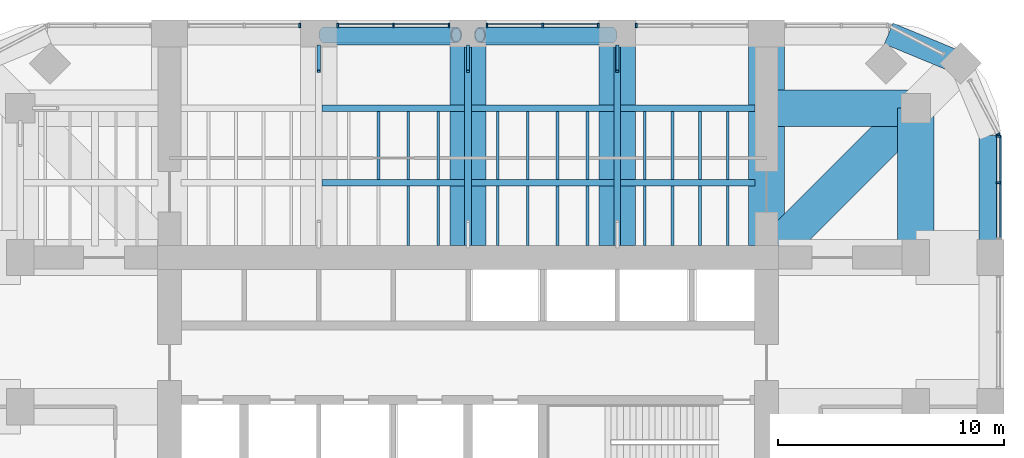
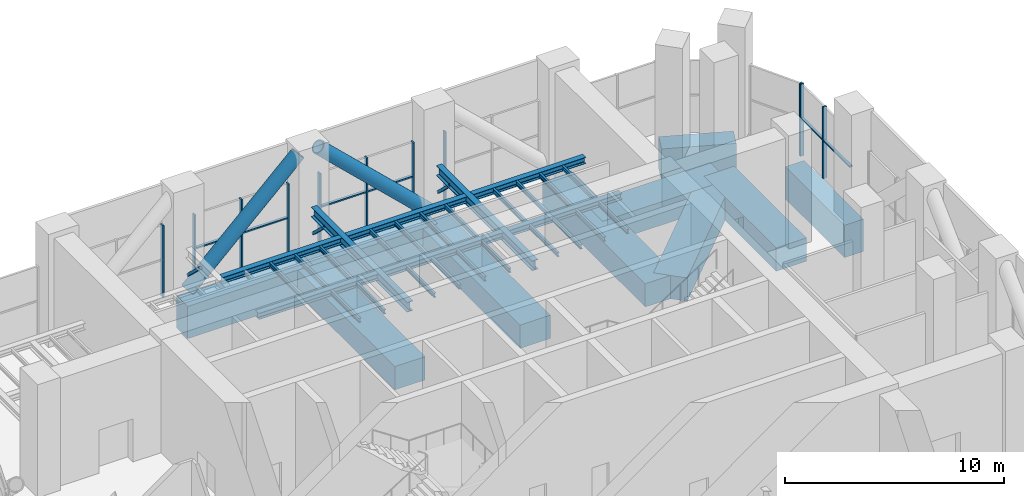
# One storey, part 7 of 15: 39 beams, 22 members, 6 elements without a shape of their own.
"""IFC4 building model written with IfcOpenShell, lengths in metres."""

from ifc_helpers import new_model, si_unit, direction, frame, origin, origin_2d, place, context, subcontext, project, spatial, rectangle, hollow_rectangle, hollow_circle, i_section, extrude, material, material_profile, profile_set, type_object, element, aggregate, save


model = new_model("IFC4")

# Units and contexts
model_context = context("Model", 3, precision=1e-05, world=origin(), true_north=direction((0.0, 1.0)))
body_context = subcontext(model_context, "Body", "Model", "MODEL_VIEW")
ifc_project = project(units=[si_unit("LENGTHUNIT", "METRE"), si_unit("AREAUNIT", "SQUARE_METRE"), si_unit("VOLUMEUNIT", "CUBIC_METRE"), si_unit("PLANEANGLEUNIT", "RADIAN"), si_unit("MASSUNIT", "GRAM", prefix="KILO")], contexts=[model_context])

# Site, building, storey
site_placement = place(None, origin())
site = spatial("IfcSite", under=ifc_project, at=site_placement, CompositionType="ELEMENT")
building_placement = place(site_placement, origin())
building = spatial("IfcBuilding", under=site, at=building_placement, Name="Cobogo Forest Laboratory Tower", CompositionType="ELEMENT")
storey_placement = place(building_placement, frame((0.0, 0.0, 222.89990234375)))
storey = spatial("IfcBuildingStorey", under=building, at=storey_placement, Name="L51", CompositionType="ELEMENT", Elevation=222.89990234375)

# Members
ifc_material_1 = material(Name="Steel S460NH", Category="steel")
ifc_material_profile_1 = material_profile(ifc_material_1, hollow_circle(Radius=0.35546875, WallThickness=0.06005859375, at=origin_2d()), Name="CHS 711x60")
ifc_profile_set_1 = profile_set([ifc_material_profile_1], Name="Steel S460NH")
member_type_1 = type_object("IfcMemberType", Name="Belt truss diagonal CHS 711x60", PredefinedType="BRACE", material=ifc_profile_set_1)
for number, where, z_axis, x_axis, name in (
    (1, (20.050048828125, 42.840087890625, 0.23876953125), (0.723349354665, 0.0, 0.69048223084), (0.0, 1.0, 0.0), "BT1 belt truss diagonal N10 L51"),
    (2, (32.75, 42.840087890625, 0.23876953125), (-0.723363796511, 0.0, 0.690467101242), (0.0, -1.0, 0.0), "BT1 belt truss diagonal N11 L51"),
):
    element("IfcMember", number, at=place(storey_placement, frame(where, z_axis=z_axis, x_axis=x_axis)), inside=storey, type_object=member_type_1, Name=name, PredefinedType="BRACE", context=body_context, shape_type="SweptSolid", body=[
        extrude(hollow_circle(Radius=0.35546875, WallThickness=0.06005859375, at=origin_2d()), origin(), (0.0, 0.0, 1.0), 8.0595703125),
    ])

# Curtain wall, members
ifc_material_2 = material(Name="Aluminium curtain wall", Category="aluminium")
curtain_wall_type = type_object("IfcCurtainWallType", Name="CW-P louvred curtain wall, plant floors", PredefinedType="USERDEFINED", material=ifc_material_2)
curtain_wall_1_placement = place(storey_placement, origin())
curtain_wall_1 = element("IfcCurtainWall", 3, at=curtain_wall_1_placement, inside=storey, type_object=curtain_wall_type, Name="Curtain wall 13 L51", ObjectType="LOUVRED CURTAIN WALL", PredefinedType="USERDEFINED")
ifc_material_3 = material(Name="Aluminium mullion", Category="aluminium")
ifc_material_profile_2 = material_profile(ifc_material_3, rectangle(XDim=0.080078125, YDim=0.199951171875, at=origin_2d()), Name="AL 80x200")
ifc_profile_set_2 = profile_set([ifc_material_profile_2], Name="Aluminium mullion")
member_type_2 = type_object("IfcMemberType", Name="MU-3 aluminium louvre mullion 80x200", PredefinedType="MULLION", material=ifc_profile_set_2)
member_1_placement = place(storey_placement, frame((49.85009765625, 36.300048828125, 0.0), z_axis=(0.0, 0.0, 1.0), x_axis=(0.0, 1.0, 0.0)))
member_1 = element("IfcMember", 4, at=member_1_placement, type_object=member_type_2, Name="CW-P mullion 2", PredefinedType="MULLION", context=body_context, shape_type="SweptSolid", body=[
    extrude(rectangle(XDim=0.080078125, YDim=0.199951171875, at=origin_2d()), origin(), (0.0, 0.0, 1.0), 4.0),
])
member_2_placement = place(storey_placement, frame((49.85009765625, 38.360107421875, 0.0), z_axis=(0.0, 0.0, 1.0), x_axis=(0.0, 1.0, 0.0)))
member_2 = element("IfcMember", 5, at=member_2_placement, type_object=member_type_2, Name="CW-P mullion 3", PredefinedType="MULLION", context=body_context, shape_type="SweptSolid", body=[
    extrude(rectangle(XDim=0.080078125, YDim=0.199951171875, at=origin_2d()), origin(), (0.0, 0.0, 1.0), 4.0),
])

# Curtain wall, member
curtain_wall_2_placement = place(storey_placement, origin())
curtain_wall_2 = element("IfcCurtainWall", 6, at=curtain_wall_2_placement, inside=storey, type_object=curtain_wall_type, Name="Curtain wall 14 L51", ObjectType="LOUVRED CURTAIN WALL", PredefinedType="USERDEFINED")
member_3_placement = place(storey_placement, frame((49.83154296875, 38.435546875, 0.0), z_axis=(0.0, 0.0, 1.0), x_axis=(-0.464283685186, 0.885686547075, 0.0)))
member_3 = element("IfcMember", 7, at=member_3_placement, type_object=member_type_2, Name="CW-P mullion 1", PredefinedType="MULLION", context=body_context, shape_type="SweptSolid", body=[
    extrude(rectangle(XDim=0.080078125, YDim=0.199951171875, at=origin_2d()), origin(), (0.0, 0.0, 1.0), 4.0),
])
aggregate(curtain_wall_2, [member_3])

curtain_wall_3_placement = place(storey_placement, origin())
curtain_wall_3 = element("IfcCurtainWall", 8, at=curtain_wall_3_placement, inside=storey, type_object=curtain_wall_type, Name="Curtain wall 17 L51", ObjectType="LOUVRED CURTAIN WALL", PredefinedType="USERDEFINED")
member_4_placement = place(storey_placement, frame((33.840087890625, 43.25, 0.0), z_axis=(0.0, 0.0, 1.0), x_axis=(-1.0, 0.0, 0.0)))
member_4 = element("IfcMember", 9, at=member_4_placement, type_object=member_type_2, Name="CW-P mullion 3", PredefinedType="MULLION", context=body_context, shape_type="SweptSolid", body=[
    extrude(rectangle(XDim=0.080078125, YDim=0.199951171875, at=origin_2d()), origin(), (0.0, 0.0, 1.0), 4.0),
])
aggregate(curtain_wall_3, [member_4])

# Curtain wall, members
curtain_wall_4_placement = place(storey_placement, origin())
curtain_wall_4 = element("IfcCurtainWall", 10, at=curtain_wall_4_placement, inside=storey, type_object=curtain_wall_type, Name="Curtain wall 18 L51", ObjectType="LOUVRED CURTAIN WALL", PredefinedType="USERDEFINED")
member_5_placement = place(storey_placement, frame((32.159912109375, 43.25, 0.0), z_axis=(0.0, 0.0, 1.0), x_axis=(-1.0, 0.0, 0.0)))
member_5 = element("IfcMember", 11, at=member_5_placement, type_object=member_type_2, Name="CW-P mullion 1", PredefinedType="MULLION", context=body_context, shape_type="SweptSolid", body=[
    extrude(rectangle(XDim=0.080078125, YDim=0.199951171875, at=origin_2d()), origin(), (0.0, 0.0, 1.0), 4.0),
])
member_6_placement = place(storey_placement, frame((29.699951171875, 43.25, 0.0), z_axis=(0.0, 0.0, 1.0), x_axis=(-1.0, 0.0, 0.0)))
member_6 = element("IfcMember", 12, at=member_6_placement, type_object=member_type_2, Name="CW-P mullion 2", PredefinedType="MULLION", context=body_context, shape_type="SweptSolid", body=[
    extrude(rectangle(XDim=0.080078125, YDim=0.199951171875, at=origin_2d()), origin(), (0.0, 0.0, 1.0), 4.0),
])
member_7_placement = place(storey_placement, frame((27.239990234375, 43.25, 0.0), z_axis=(0.0, 0.0, 1.0), x_axis=(-1.0, 0.0, 0.0)))
member_7 = element("IfcMember", 13, at=member_7_placement, type_object=member_type_2, Name="CW-P mullion 3", PredefinedType="MULLION", context=body_context, shape_type="SweptSolid", body=[
    extrude(rectangle(XDim=0.080078125, YDim=0.199951171875, at=origin_2d()), origin(), (0.0, 0.0, 1.0), 4.0),
])

curtain_wall_5_placement = place(storey_placement, origin())
curtain_wall_5 = element("IfcCurtainWall", 14, at=curtain_wall_5_placement, inside=storey, type_object=curtain_wall_type, Name="Curtain wall 19 L51", ObjectType="LOUVRED CURTAIN WALL", PredefinedType="USERDEFINED")
member_8_placement = place(storey_placement, frame((25.56005859375, 43.25, 0.0), z_axis=(0.0, 0.0, 1.0), x_axis=(-1.0, 0.0, 0.0)))
member_8 = element("IfcMember", 15, at=member_8_placement, type_object=member_type_2, Name="CW-P mullion 1", PredefinedType="MULLION", context=body_context, shape_type="SweptSolid", body=[
    extrude(rectangle(XDim=0.080078125, YDim=0.199951171875, at=origin_2d()), origin(), (0.0, 0.0, 1.0), 4.0),
])
member_9_placement = place(storey_placement, frame((23.10009765625, 43.25, 0.0), z_axis=(0.0, 0.0, 1.0), x_axis=(-1.0, 0.0, 0.0)))
member_9 = element("IfcMember", 16, at=member_9_placement, type_object=member_type_2, Name="CW-P mullion 2", PredefinedType="MULLION", context=body_context, shape_type="SweptSolid", body=[
    extrude(rectangle(XDim=0.080078125, YDim=0.199951171875, at=origin_2d()), origin(), (0.0, 0.0, 1.0), 4.0),
])
member_10_placement = place(storey_placement, frame((20.639892578125, 43.25, 0.0), z_axis=(0.0, 0.0, 1.0), x_axis=(-1.0, 0.0, 0.0)))
member_10 = element("IfcMember", 17, at=member_10_placement, type_object=member_type_2, Name="CW-P mullion 3", PredefinedType="MULLION", context=body_context, shape_type="SweptSolid", body=[
    extrude(rectangle(XDim=0.080078125, YDim=0.199951171875, at=origin_2d()), origin(), (0.0, 0.0, 1.0), 4.0),
])

# Curtain wall, member
curtain_wall_6_placement = place(storey_placement, origin())
curtain_wall_6 = element("IfcCurtainWall", 18, at=curtain_wall_6_placement, inside=storey, type_object=curtain_wall_type, Name="Curtain wall 20 L51", ObjectType="LOUVRED CURTAIN WALL", PredefinedType="USERDEFINED")
member_11_placement = place(storey_placement, frame((18.9599609375, 43.25, 0.0), z_axis=(0.0, 0.0, 1.0), x_axis=(-1.0, 0.0, 0.0)))
member_11 = element("IfcMember", 19, at=member_11_placement, type_object=member_type_2, Name="CW-P mullion 1", PredefinedType="MULLION", context=body_context, shape_type="SweptSolid", body=[
    extrude(rectangle(XDim=0.080078125, YDim=0.199951171875, at=origin_2d()), origin(), (0.0, 0.0, 1.0), 4.0),
])
aggregate(curtain_wall_6, [member_11])

# Beams
ifc_material_4 = material(Name="Concrete HA-40 (C40/50)", Category="concrete")
ifc_material_profile_3 = material_profile(ifc_material_4, rectangle(XDim=1.60009765625, YDim=1.300048828125, at=origin_2d()), Name="RC 1600x1300")
ifc_profile_set_3 = profile_set([ifc_material_profile_3], Name="Concrete HA-40 (C40/50)")
beam_type_1 = type_object("IfcBeamType", Name="Plant and roof garden wide beam 1600x1300", PredefinedType="BEAM", material=ifc_profile_set_3)
for number, where, z_axis, x_axis, name in (
    (20, (26.39990234375, 33.52490234375, -1.0), (0.0, 1.0, 0.0), (-1.0, 0.0, 0.0), "RB4 R-5-N L51"),
    (21, (33.0, 33.52490234375, -1.0), (0.0, 1.0, 0.0), (-1.0, 0.0, 0.0), "RB4 R-6-N L51"),
    (22, (39.60009765625, 33.52490234375, -1.0), (0.0, 1.0, 0.0), (-1.0, 0.0, 0.0), "RB4 R-7-N L51"),
):
    element("IfcBeam", number, at=place(storey_placement, frame(where, z_axis=z_axis, x_axis=x_axis)), inside=storey, type_object=beam_type_1, Name=name, PredefinedType="BEAM", context=body_context, shape_type="SweptSolid", body=[
        extrude(rectangle(XDim=1.60009765625, YDim=1.300048828125, at=origin_2d()), origin(), (0.0, 0.0, 1.0), 9.375),
    ])
beam_1_placement = place(storey_placement, frame((46.199951171875, 39.60009765625, -1.0), z_axis=(0.0, -1.0, 0.0), x_axis=(1.0, 0.0, 0.0)))
element("IfcBeam", 23, at=beam_1_placement, inside=storey, type_object=beam_type_1, Name="RB4 G-NE-XC L51", PredefinedType="BEAM", context=body_context, shape_type="SweptSolid", body=[
    extrude(rectangle(XDim=1.60009765625, YDim=1.300048828125, at=origin_2d()), origin(), (0.0, 0.0, 1.0), 6.60009765625),
])
beam_2_placement = place(storey_placement, frame((46.199951171875, 39.60009765625, -1.0), z_axis=(-1.0, 0.0, 0.0), x_axis=(0.0, -1.0, 0.0)))
element("IfcBeam", 24, at=beam_2_placement, inside=storey, type_object=beam_type_1, Name="RB4 G-NE-YC L51", PredefinedType="BEAM", context=body_context, shape_type="SweptSolid", body=[
    extrude(rectangle(XDim=1.60009765625, YDim=1.300048828125, at=origin_2d()), origin(), (0.0, 0.0, 1.0), 6.599853515625),
])
beam_3_placement = place(storey_placement, frame((46.199951171875, 39.60009765625, -1.0), z_axis=(-0.707092572697, -0.70712098939, 0.0), x_axis=(0.70712098939, -0.707092572697, 0.0)))
element("IfcBeam", 25, at=beam_3_placement, inside=storey, type_object=beam_type_1, Name="RB4 G-NE-D2 L51", PredefinedType="BEAM", context=body_context, shape_type="SweptSolid", body=[
    extrude(rectangle(XDim=1.60009765625, YDim=1.300048828125, at=origin_2d()), origin(), (0.0, 0.0, 1.0), 8.591552734375),
])
ifc_material_profile_4 = material_profile(ifc_material_4, rectangle(XDim=1.0, YDim=1.800048828125, at=origin_2d()), Name="RC 1000x1800")
ifc_profile_set_4 = profile_set([ifc_material_profile_4], Name="Concrete HA-40 (C40/50)")
beam_type_2 = type_object("IfcBeamType", Name="Plant floor perimeter girder 1000x1800", PredefinedType="BEAM", material=ifc_profile_set_4)
beam_4_placement = place(storey_placement, frame((19.800048828125, 42.89990234375, -1.25), z_axis=(1.0, 0.0, 0.0), x_axis=(0.0, 1.0, 0.0)))
element("IfcBeam", 26, at=beam_4_placement, inside=storey, type_object=beam_type_2, Name="TG1 E-N2 L51", PredefinedType="BEAM", context=body_context, shape_type="SweptSolid", body=[
    extrude(rectangle(XDim=1.0, YDim=1.800048828125, at=origin_2d()), origin(), (0.0, 0.0, 1.0), 6.599853515625),
])
beam_5_placement = place(storey_placement, frame((26.39990234375, 42.89990234375, -1.25), z_axis=(1.0, 0.0, 0.0), x_axis=(0.0, 1.0, 0.0)))
element("IfcBeam", 27, at=beam_5_placement, inside=storey, type_object=beam_type_2, Name="TG1 E-N3 L51", PredefinedType="BEAM", context=body_context, shape_type="SweptSolid", body=[
    extrude(rectangle(XDim=1.0, YDim=1.800048828125, at=origin_2d()), origin(), (0.0, 0.0, 1.0), 6.60009765625),
])
beam_6_placement = place(storey_placement, frame((49.5, 33.0, -1.25), z_axis=(0.0, 1.0, 0.0), x_axis=(-1.0, 0.0, 0.0)))
element("IfcBeam", 28, at=beam_6_placement, inside=storey, type_object=beam_type_2, Name="TG1 E-NEE1 L51", PredefinedType="BEAM", context=body_context, shape_type="SweptSolid", body=[
    extrude(rectangle(XDim=1.0, YDim=1.800048828125, at=origin_2d()), origin(), (0.0, 0.0, 1.0), 5.39990234375),
])
beam_7_placement = place(storey_placement, frame((45.0, 42.89990234375, -1.25), z_axis=(0.923890694089, -0.382656484822, 0.0), x_axis=(0.382656484822, 0.923890694089, 0.0)))
element("IfcBeam", 29, at=beam_7_placement, inside=storey, type_object=beam_type_2, Name="TG1 E-NEN2 L51", PredefinedType="BEAM", context=body_context, shape_type="SweptSolid", body=[
    extrude(rectangle(XDim=1.0, YDim=1.800048828125, at=origin_2d()), origin(), (0.0, 0.0, 1.0), 3.444091796875),
])

# Members
ifc_material_5 = material(Name="Steel S355", Category="steel")
ifc_material_profile_5 = material_profile(ifc_material_5, hollow_rectangle(XDim=0.14990234375, YDim=0.14990234375, WallThickness=0.008056640625, InnerFilletRadius=0.008056640625, OuterFilletRadius=0.011962890625, at=origin_2d()), Name="SHS 150x8")
ifc_profile_set_5 = profile_set([ifc_material_profile_5], Name="Steel S355")
member_type_3 = type_object("IfcMemberType", Name="Plant knee brace SHS 150x8", PredefinedType="BRACE", material=ifc_profile_set_5)
for number, where, z_axis, x_axis, name in (
    (30, (19.800048828125, 42.35302734375, 1.4501953125), (0.0, -0.725097922522, 0.688645774513), (1.0, 0.0, 0.0), "PX2 AHU-N knee brace 4-1 L51"),
    (31, (26.39990234375, 42.35302734375, 1.4501953125), (0.0, -0.725097922522, 0.688645774513), (1.0, 0.0, 0.0), "PX2 AHU-N knee brace 5-1 L51"),
    (32, (33.0, 42.35302734375, 1.4501953125), (0.0, -0.725097922522, 0.688645774513), (1.0, 0.0, 0.0), "PX2 AHU-N knee brace 6-1 L51"),
):
    element("IfcMember", number, at=place(storey_placement, frame(where, z_axis=z_axis, x_axis=x_axis)), inside=storey, type_object=member_type_3, Name=name, PredefinedType="BRACE", context=body_context, shape_type="SweptSolid", body=[
        extrude(hollow_rectangle(XDim=0.14990234375, YDim=0.14990234375, WallThickness=0.008056640625, InnerFilletRadius=0.008056640625, OuterFilletRadius=0.011962890625, at=origin_2d()), origin(), (0.0, 0.0, 1.0), 1.547119140625),
    ])

# Beams
ifc_material_profile_6 = material_profile(ifc_material_5, i_section(OverallWidth=0.300048828125, OverallDepth=0.35009765625, WebThickness=0.010009765625, FlangeThickness=0.017578125, FilletRadius=0.027099609375, at=origin_2d()), Name="HEA 360")
ifc_profile_set_6 = profile_set([ifc_material_profile_6], Name="Steel S355")
beam_type_3 = type_object("IfcBeamType", Name="Plant platform beam HEA 360", PredefinedType="BEAM", material=ifc_profile_set_6)
for number, where, z_axis, x_axis, name in (
    (33, (19.949951171875, 39.60009765625, 2.8251953125), (1.0, 0.0, 0.0), (0.0, 1.0, 0.0), "PB3 AHU-N platform beam 2 at 3300 L51"),
    (34, (26.550048828125, 39.60009765625, 2.8251953125), (1.0, 0.0, 0.0), (0.0, 1.0, 0.0), "PB3 AHU-N platform beam 3 at 3300 L51"),
):
    element("IfcBeam", number, at=place(storey_placement, frame(where, z_axis=z_axis, x_axis=x_axis)), inside=storey, type_object=beam_type_3, Name=name, PredefinedType="BEAM", context=body_context, shape_type="SweptSolid", body=[
        extrude(i_section(OverallWidth=0.300048828125, OverallDepth=0.35009765625, WebThickness=0.010009765625, FlangeThickness=0.017578125, FilletRadius=0.027099609375, at=origin_2d()), origin(), (0.0, 0.0, 1.0), 6.300048828125),
    ])
beam_8_placement = place(storey_placement, frame((33.14990234375, 39.60009765625, 2.8251953125), z_axis=(1.0, 0.0, 0.0), x_axis=(0.0, 1.0, 0.0)))
element("IfcBeam", 35, at=beam_8_placement, inside=storey, type_object=beam_type_3, Name="PB3 AHU-N platform beam 4 at 3300 L51", PredefinedType="BEAM", context=body_context, shape_type="SweptSolid", body=[
    extrude(i_section(OverallWidth=0.300048828125, OverallDepth=0.35009765625, WebThickness=0.010009765625, FlangeThickness=0.017578125, FilletRadius=0.027099609375, at=origin_2d()), origin(), (0.0, 0.0, 1.0), 5.9501953125),
])
for number, where, z_axis, x_axis, name in (
    (36, (19.949951171875, 36.300048828125, 2.8251953125), (1.0, 0.0, 0.0), (0.0, 1.0, 0.0), "PB3 AHU-N platform beam 2 at 6600 L51"),
    (37, (26.550048828125, 36.300048828125, 2.8251953125), (1.0, 0.0, 0.0), (0.0, 1.0, 0.0), "PB3 AHU-N platform beam 3 at 6600 L51"),
):
    element("IfcBeam", number, at=place(storey_placement, frame(where, z_axis=z_axis, x_axis=x_axis)), inside=storey, type_object=beam_type_3, Name=name, PredefinedType="BEAM", context=body_context, shape_type="SweptSolid", body=[
        extrude(i_section(OverallWidth=0.300048828125, OverallDepth=0.35009765625, WebThickness=0.010009765625, FlangeThickness=0.017578125, FilletRadius=0.027099609375, at=origin_2d()), origin(), (0.0, 0.0, 1.0), 6.300048828125),
    ])
beam_9_placement = place(storey_placement, frame((33.14990234375, 36.300048828125, 2.8251953125), z_axis=(1.0, 0.0, 0.0), x_axis=(0.0, 1.0, 0.0)))
element("IfcBeam", 38, at=beam_9_placement, inside=storey, type_object=beam_type_3, Name="PB3 AHU-N platform beam 4 at 6600 L51", PredefinedType="BEAM", context=body_context, shape_type="SweptSolid", body=[
    extrude(i_section(OverallWidth=0.300048828125, OverallDepth=0.35009765625, WebThickness=0.010009765625, FlangeThickness=0.017578125, FilletRadius=0.027099609375, at=origin_2d()), origin(), (0.0, 0.0, 1.0), 5.9501953125),
])
ifc_material_profile_7 = material_profile(ifc_material_5, i_section(OverallWidth=0.300048828125, OverallDepth=0.550048828125, WebThickness=0.014892578125, FlangeThickness=0.029052734375, FilletRadius=0.027099609375, at=origin_2d()), Name="HEB 550")
ifc_profile_set_7 = profile_set([ifc_material_profile_7], Name="Steel S355")
beam_type_4 = type_object("IfcBeamType", Name="Plant platform girder HEB 550", PredefinedType="BEAM", material=ifc_profile_set_7)
for number, where, z_axis, x_axis, name in (
    (39, (26.39990234375, 42.300048828125, 2.72509765625), (0.0, -1.0, 0.0), (1.0, 0.0, 0.0), "PG2 AHU-N girder 5 L51"),
    (40, (33.0, 42.300048828125, 2.72509765625), (0.0, -1.0, 0.0), (1.0, 0.0, 0.0), "PG2 AHU-N girder 6 L51"),
):
    element("IfcBeam", number, at=place(storey_placement, frame(where, z_axis=z_axis, x_axis=x_axis)), inside=storey, type_object=beam_type_4, Name=name, PredefinedType="BEAM", context=body_context, shape_type="SweptSolid", body=[
        extrude(i_section(OverallWidth=0.300048828125, OverallDepth=0.550048828125, WebThickness=0.014892578125, FlangeThickness=0.029052734375, FilletRadius=0.027099609375, at=origin_2d()), origin(), (0.0, 0.0, 1.0), 8.775146484375),
    ])
ifc_material_profile_8 = material_profile(ifc_material_5, i_section(OverallWidth=0.1201171875, OverallDepth=0.239990234375, WebThickness=0.006103515625, FlangeThickness=0.009765625, FilletRadius=0.014892578125, at=origin_2d()), Name="IPE 240")
ifc_profile_set_8 = profile_set([ifc_material_profile_8], Name="Steel S355")
beam_type_5 = type_object("IfcBeamType", Name="Plant platform joist IPE 240", PredefinedType="JOIST", material=ifc_profile_set_8)
for number, where, z_axis, x_axis, name in (
    (41, (22.43994140625, 39.449951171875, 2.880126953125), (0.0, -1.0, 0.0), (1.0, 0.0, 0.0), "PJ1 AHU-N joist 2.2 row 1 L51"),
    (42, (23.760009765625, 39.449951171875, 2.880126953125), (0.0, -1.0, 0.0), (1.0, 0.0, 0.0), "PJ1 AHU-N joist 2.3 row 1 L51"),
):
    element("IfcBeam", number, at=place(storey_placement, frame(where, z_axis=z_axis, x_axis=x_axis)), inside=storey, type_object=beam_type_5, Name=name, PredefinedType="JOIST", context=body_context, shape_type="SweptSolid", body=[
        extrude(i_section(OverallWidth=0.1201171875, OverallDepth=0.239990234375, WebThickness=0.006103515625, FlangeThickness=0.009765625, FilletRadius=0.014892578125, at=origin_2d()), origin(), (0.0, 0.0, 1.0), 3.0),
    ])
beam_10_placement = place(storey_placement, frame((23.760009765625, 36.14990234375, 2.880126953125), z_axis=(0.0, -1.0, 0.0), x_axis=(1.0, 0.0, 0.0)))
element("IfcBeam", 43, at=beam_10_placement, inside=storey, type_object=beam_type_5, Name="PJ1 AHU-N joist 2.3 row 2 L51", PredefinedType="JOIST", context=body_context, shape_type="SweptSolid", body=[
    extrude(i_section(OverallWidth=0.1201171875, OverallDepth=0.239990234375, WebThickness=0.006103515625, FlangeThickness=0.009765625, FilletRadius=0.014892578125, at=origin_2d()), origin(), (0.0, 0.0, 1.0), 2.625),
])
beam_11_placement = place(storey_placement, frame((25.080078125, 39.449951171875, 2.880126953125), z_axis=(0.0, -1.0, 0.0), x_axis=(1.0, 0.0, 0.0)))
element("IfcBeam", 44, at=beam_11_placement, inside=storey, type_object=beam_type_5, Name="PJ1 AHU-N joist 2.4 row 1 L51", PredefinedType="JOIST", context=body_context, shape_type="SweptSolid", body=[
    extrude(i_section(OverallWidth=0.1201171875, OverallDepth=0.239990234375, WebThickness=0.006103515625, FlangeThickness=0.009765625, FilletRadius=0.014892578125, at=origin_2d()), origin(), (0.0, 0.0, 1.0), 3.0),
])
beam_12_placement = place(storey_placement, frame((25.080078125, 36.14990234375, 2.880126953125), z_axis=(0.0, -1.0, 0.0), x_axis=(1.0, 0.0, 0.0)))
element("IfcBeam", 45, at=beam_12_placement, inside=storey, type_object=beam_type_5, Name="PJ1 AHU-N joist 2.4 row 2 L51", PredefinedType="JOIST", context=body_context, shape_type="SweptSolid", body=[
    extrude(i_section(OverallWidth=0.1201171875, OverallDepth=0.239990234375, WebThickness=0.006103515625, FlangeThickness=0.009765625, FilletRadius=0.014892578125, at=origin_2d()), origin(), (0.0, 0.0, 1.0), 2.625),
])
beam_13_placement = place(storey_placement, frame((27.719970703125, 39.449951171875, 2.880126953125), z_axis=(0.0, -1.0, 0.0), x_axis=(1.0, 0.0, 0.0)))
element("IfcBeam", 46, at=beam_13_placement, inside=storey, type_object=beam_type_5, Name="PJ1 AHU-N joist 3.1 row 1 L51", PredefinedType="JOIST", context=body_context, shape_type="SweptSolid", body=[
    extrude(i_section(OverallWidth=0.1201171875, OverallDepth=0.239990234375, WebThickness=0.006103515625, FlangeThickness=0.009765625, FilletRadius=0.014892578125, at=origin_2d()), origin(), (0.0, 0.0, 1.0), 3.0),
])
beam_14_placement = place(storey_placement, frame((27.719970703125, 36.14990234375, 2.880126953125), z_axis=(0.0, -1.0, 0.0), x_axis=(1.0, 0.0, 0.0)))
element("IfcBeam", 47, at=beam_14_placement, inside=storey, type_object=beam_type_5, Name="PJ1 AHU-N joist 3.1 row 2 L51", PredefinedType="JOIST", context=body_context, shape_type="SweptSolid", body=[
    extrude(i_section(OverallWidth=0.1201171875, OverallDepth=0.239990234375, WebThickness=0.006103515625, FlangeThickness=0.009765625, FilletRadius=0.014892578125, at=origin_2d()), origin(), (0.0, 0.0, 1.0), 2.625),
])
beam_15_placement = place(storey_placement, frame((29.0400390625, 39.449951171875, 2.880126953125), z_axis=(0.0, -1.0, 0.0), x_axis=(1.0, 0.0, 0.0)))
element("IfcBeam", 48, at=beam_15_placement, inside=storey, type_object=beam_type_5, Name="PJ1 AHU-N joist 3.2 row 1 L51", PredefinedType="JOIST", context=body_context, shape_type="SweptSolid", body=[
    extrude(i_section(OverallWidth=0.1201171875, OverallDepth=0.239990234375, WebThickness=0.006103515625, FlangeThickness=0.009765625, FilletRadius=0.014892578125, at=origin_2d()), origin(), (0.0, 0.0, 1.0), 3.0),
])
beam_16_placement = place(storey_placement, frame((29.0400390625, 36.14990234375, 2.880126953125), z_axis=(0.0, -1.0, 0.0), x_axis=(1.0, 0.0, 0.0)))
element("IfcBeam", 49, at=beam_16_placement, inside=storey, type_object=beam_type_5, Name="PJ1 AHU-N joist 3.2 row 2 L51", PredefinedType="JOIST", context=body_context, shape_type="SweptSolid", body=[
    extrude(i_section(OverallWidth=0.1201171875, OverallDepth=0.239990234375, WebThickness=0.006103515625, FlangeThickness=0.009765625, FilletRadius=0.014892578125, at=origin_2d()), origin(), (0.0, 0.0, 1.0), 2.625),
])
beam_17_placement = place(storey_placement, frame((30.360107421875, 39.449951171875, 2.880126953125), z_axis=(0.0, -1.0, 0.0), x_axis=(1.0, 0.0, 0.0)))
element("IfcBeam", 50, at=beam_17_placement, inside=storey, type_object=beam_type_5, Name="PJ1 AHU-N joist 3.3 row 1 L51", PredefinedType="JOIST", context=body_context, shape_type="SweptSolid", body=[
    extrude(i_section(OverallWidth=0.1201171875, OverallDepth=0.239990234375, WebThickness=0.006103515625, FlangeThickness=0.009765625, FilletRadius=0.014892578125, at=origin_2d()), origin(), (0.0, 0.0, 1.0), 3.0),
])
beam_18_placement = place(storey_placement, frame((30.360107421875, 36.14990234375, 2.880126953125), z_axis=(0.0, -1.0, 0.0), x_axis=(1.0, 0.0, 0.0)))
element("IfcBeam", 51, at=beam_18_placement, inside=storey, type_object=beam_type_5, Name="PJ1 AHU-N joist 3.3 row 2 L51", PredefinedType="JOIST", context=body_context, shape_type="SweptSolid", body=[
    extrude(i_section(OverallWidth=0.1201171875, OverallDepth=0.239990234375, WebThickness=0.006103515625, FlangeThickness=0.009765625, FilletRadius=0.014892578125, at=origin_2d()), origin(), (0.0, 0.0, 1.0), 2.625),
])
beam_19_placement = place(storey_placement, frame((31.679931640625, 39.449951171875, 2.880126953125), z_axis=(0.0, -1.0, 0.0), x_axis=(1.0, 0.0, 0.0)))
element("IfcBeam", 52, at=beam_19_placement, inside=storey, type_object=beam_type_5, Name="PJ1 AHU-N joist 3.4 row 1 L51", PredefinedType="JOIST", context=body_context, shape_type="SweptSolid", body=[
    extrude(i_section(OverallWidth=0.1201171875, OverallDepth=0.239990234375, WebThickness=0.006103515625, FlangeThickness=0.009765625, FilletRadius=0.014892578125, at=origin_2d()), origin(), (0.0, 0.0, 1.0), 3.0),
])
beam_20_placement = place(storey_placement, frame((31.679931640625, 36.14990234375, 2.880126953125), z_axis=(0.0, -1.0, 0.0), x_axis=(1.0, 0.0, 0.0)))
element("IfcBeam", 53, at=beam_20_placement, inside=storey, type_object=beam_type_5, Name="PJ1 AHU-N joist 3.4 row 2 L51", PredefinedType="JOIST", context=body_context, shape_type="SweptSolid", body=[
    extrude(i_section(OverallWidth=0.1201171875, OverallDepth=0.239990234375, WebThickness=0.006103515625, FlangeThickness=0.009765625, FilletRadius=0.014892578125, at=origin_2d()), origin(), (0.0, 0.0, 1.0), 2.625),
])
beam_21_placement = place(storey_placement, frame((34.219970703125, 39.449951171875, 2.880126953125), z_axis=(0.0, -1.0, 0.0), x_axis=(1.0, 0.0, 0.0)))
element("IfcBeam", 54, at=beam_21_placement, inside=storey, type_object=beam_type_5, Name="PJ1 AHU-N joist 4.1 row 1 L51", PredefinedType="JOIST", context=body_context, shape_type="SweptSolid", body=[
    extrude(i_section(OverallWidth=0.1201171875, OverallDepth=0.239990234375, WebThickness=0.006103515625, FlangeThickness=0.009765625, FilletRadius=0.014892578125, at=origin_2d()), origin(), (0.0, 0.0, 1.0), 3.0),
])
beam_22_placement = place(storey_placement, frame((34.219970703125, 36.14990234375, 2.880126953125), z_axis=(0.0, -1.0, 0.0), x_axis=(1.0, 0.0, 0.0)))
element("IfcBeam", 55, at=beam_22_placement, inside=storey, type_object=beam_type_5, Name="PJ1 AHU-N joist 4.1 row 2 L51", PredefinedType="JOIST", context=body_context, shape_type="SweptSolid", body=[
    extrude(i_section(OverallWidth=0.1201171875, OverallDepth=0.239990234375, WebThickness=0.006103515625, FlangeThickness=0.009765625, FilletRadius=0.014892578125, at=origin_2d()), origin(), (0.0, 0.0, 1.0), 2.625),
])
beam_23_placement = place(storey_placement, frame((35.43994140625, 39.449951171875, 2.880126953125), z_axis=(0.0, -1.0, 0.0), x_axis=(1.0, 0.0, 0.0)))
element("IfcBeam", 56, at=beam_23_placement, inside=storey, type_object=beam_type_5, Name="PJ1 AHU-N joist 4.2 row 1 L51", PredefinedType="JOIST", context=body_context, shape_type="SweptSolid", body=[
    extrude(i_section(OverallWidth=0.1201171875, OverallDepth=0.239990234375, WebThickness=0.006103515625, FlangeThickness=0.009765625, FilletRadius=0.014892578125, at=origin_2d()), origin(), (0.0, 0.0, 1.0), 3.0),
])
beam_24_placement = place(storey_placement, frame((35.43994140625, 36.14990234375, 2.880126953125), z_axis=(0.0, -1.0, 0.0), x_axis=(1.0, 0.0, 0.0)))
element("IfcBeam", 57, at=beam_24_placement, inside=storey, type_object=beam_type_5, Name="PJ1 AHU-N joist 4.2 row 2 L51", PredefinedType="JOIST", context=body_context, shape_type="SweptSolid", body=[
    extrude(i_section(OverallWidth=0.1201171875, OverallDepth=0.239990234375, WebThickness=0.006103515625, FlangeThickness=0.009765625, FilletRadius=0.014892578125, at=origin_2d()), origin(), (0.0, 0.0, 1.0), 2.625),
])
beam_25_placement = place(storey_placement, frame((36.659912109375, 39.449951171875, 2.880126953125), z_axis=(0.0, -1.0, 0.0), x_axis=(1.0, 0.0, 0.0)))
element("IfcBeam", 58, at=beam_25_placement, inside=storey, type_object=beam_type_5, Name="PJ1 AHU-N joist 4.3 row 1 L51", PredefinedType="JOIST", context=body_context, shape_type="SweptSolid", body=[
    extrude(i_section(OverallWidth=0.1201171875, OverallDepth=0.239990234375, WebThickness=0.006103515625, FlangeThickness=0.009765625, FilletRadius=0.014892578125, at=origin_2d()), origin(), (0.0, 0.0, 1.0), 3.0),
])
beam_26_placement = place(storey_placement, frame((36.659912109375, 36.14990234375, 2.880126953125), z_axis=(0.0, -1.0, 0.0), x_axis=(1.0, 0.0, 0.0)))
element("IfcBeam", 59, at=beam_26_placement, inside=storey, type_object=beam_type_5, Name="PJ1 AHU-N joist 4.3 row 2 L51", PredefinedType="JOIST", context=body_context, shape_type="SweptSolid", body=[
    extrude(i_section(OverallWidth=0.1201171875, OverallDepth=0.239990234375, WebThickness=0.006103515625, FlangeThickness=0.009765625, FilletRadius=0.014892578125, at=origin_2d()), origin(), (0.0, 0.0, 1.0), 2.625),
])
beam_27_placement = place(storey_placement, frame((37.8798828125, 39.449951171875, 2.880126953125), z_axis=(0.0, -1.0, 0.0), x_axis=(1.0, 0.0, 0.0)))
element("IfcBeam", 60, at=beam_27_placement, inside=storey, type_object=beam_type_5, Name="PJ1 AHU-N joist 4.4 row 1 L51", PredefinedType="JOIST", context=body_context, shape_type="SweptSolid", body=[
    extrude(i_section(OverallWidth=0.1201171875, OverallDepth=0.239990234375, WebThickness=0.006103515625, FlangeThickness=0.009765625, FilletRadius=0.014892578125, at=origin_2d()), origin(), (0.0, 0.0, 1.0), 3.0),
])
beam_28_placement = place(storey_placement, frame((37.8798828125, 36.14990234375, 2.880126953125), z_axis=(0.0, -1.0, 0.0), x_axis=(1.0, 0.0, 0.0)))
element("IfcBeam", 61, at=beam_28_placement, inside=storey, type_object=beam_type_5, Name="PJ1 AHU-N joist 4.4 row 2 L51", PredefinedType="JOIST", context=body_context, shape_type="SweptSolid", body=[
    extrude(i_section(OverallWidth=0.1201171875, OverallDepth=0.239990234375, WebThickness=0.006103515625, FlangeThickness=0.009765625, FilletRadius=0.014892578125, at=origin_2d()), origin(), (0.0, 0.0, 1.0), 2.625),
])

# Member
ifc_material_6 = material(Name="Aluminium transom", Category="aluminium")
ifc_material_profile_9 = material_profile(ifc_material_6, rectangle(XDim=0.14990234375, YDim=0.080078125, at=origin_2d()), Name="AL 80x150")
ifc_profile_set_9 = profile_set([ifc_material_profile_9], Name="Aluminium transom")
member_type_4 = type_object("IfcMemberType", Name="TR-2 aluminium louvre transom 80x150", PredefinedType="USERDEFINED", material=ifc_profile_set_9)
member_12_placement = place(storey_placement, frame((49.85009765625, 33.8798828125, 2.10009765625), z_axis=(0.0, 1.0, 0.0), x_axis=(-1.0, 0.0, 0.0)))
member_12 = element("IfcMember", 62, at=member_12_placement, type_object=member_type_4, Name="CW-P transom 1.1", ObjectType="TRANSOM", PredefinedType="USERDEFINED", context=body_context, shape_type="SweptSolid", body=[
    extrude(rectangle(XDim=0.14990234375, YDim=0.080078125, at=origin_2d()), origin(), (0.0, 0.0, 1.0), 2.380126953125),
])

member_13_placement = place(storey_placement, frame((49.85009765625, 36.340087890625, 2.10009765625), z_axis=(0.0, 1.0, 0.0), x_axis=(-1.0, 0.0, 0.0)))
member_13 = element("IfcMember", 63, at=member_13_placement, type_object=member_type_4, Name="CW-P transom 2.1", ObjectType="TRANSOM", PredefinedType="USERDEFINED", context=body_context, shape_type="SweptSolid", body=[
    extrude(rectangle(XDim=0.14990234375, YDim=0.080078125, at=origin_2d()), origin(), (0.0, 0.0, 1.0), 1.97998046875),
])

aggregate(curtain_wall_1, [member_1, member_2, member_12, member_13])

member_14_placement = place(storey_placement, frame((32.1201171875, 43.25, 2.10009765625), z_axis=(-1.0, 0.0, 0.0), x_axis=(0.0, -1.0, 0.0)))
member_14 = element("IfcMember", 64, at=member_14_placement, type_object=member_type_4, Name="CW-P transom 1.1", ObjectType="TRANSOM", PredefinedType="USERDEFINED", context=body_context, shape_type="SweptSolid", body=[
    extrude(rectangle(XDim=0.14990234375, YDim=0.080078125, at=origin_2d()), origin(), (0.0, 0.0, 1.0), 2.380126953125),
])

member_15_placement = place(storey_placement, frame((29.659912109375, 43.25, 2.10009765625), z_axis=(-1.0, 0.0, 0.0), x_axis=(0.0, -1.0, 0.0)))
member_15 = element("IfcMember", 65, at=member_15_placement, type_object=member_type_4, Name="CW-P transom 2.1", ObjectType="TRANSOM", PredefinedType="USERDEFINED", context=body_context, shape_type="SweptSolid", body=[
    extrude(rectangle(XDim=0.14990234375, YDim=0.080078125, at=origin_2d()), origin(), (0.0, 0.0, 1.0), 2.3798828125),
])

aggregate(curtain_wall_4, [member_5, member_6, member_7, member_14, member_15])

member_16_placement = place(storey_placement, frame((25.52001953125, 43.25, 2.10009765625), z_axis=(-1.0, 0.0, 0.0), x_axis=(0.0, -1.0, 0.0)))
member_16 = element("IfcMember", 66, at=member_16_placement, type_object=member_type_4, Name="CW-P transom 1.1", ObjectType="TRANSOM", PredefinedType="USERDEFINED", context=body_context, shape_type="SweptSolid", body=[
    extrude(rectangle(XDim=0.14990234375, YDim=0.080078125, at=origin_2d()), origin(), (0.0, 0.0, 1.0), 2.380126953125),
])

member_17_placement = place(storey_placement, frame((23.06005859375, 43.25, 2.10009765625), z_axis=(-1.0, 0.0, 0.0), x_axis=(0.0, -1.0, 0.0)))
member_17 = element("IfcMember", 67, at=member_17_placement, type_object=member_type_4, Name="CW-P transom 2.1", ObjectType="TRANSOM", PredefinedType="USERDEFINED", context=body_context, shape_type="SweptSolid", body=[
    extrude(rectangle(XDim=0.14990234375, YDim=0.080078125, at=origin_2d()), origin(), (0.0, 0.0, 1.0), 2.380126953125),
])

aggregate(curtain_wall_5, [member_8, member_9, member_10, member_16, member_17])

save(model, "model.ifc")
